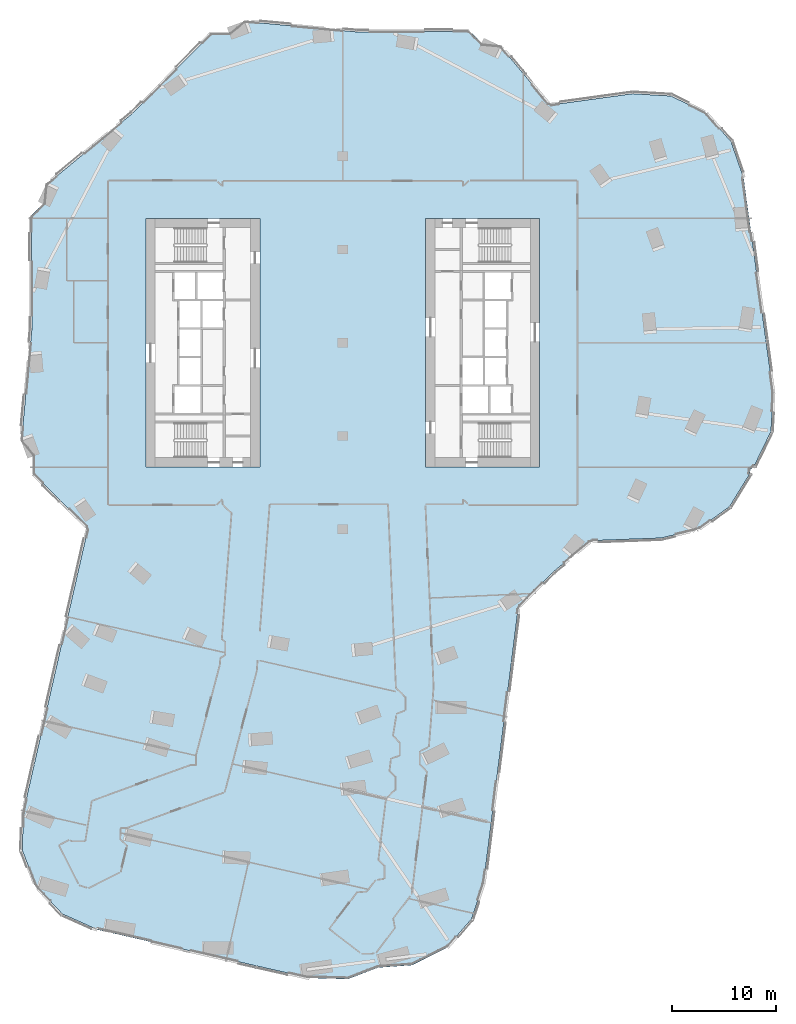
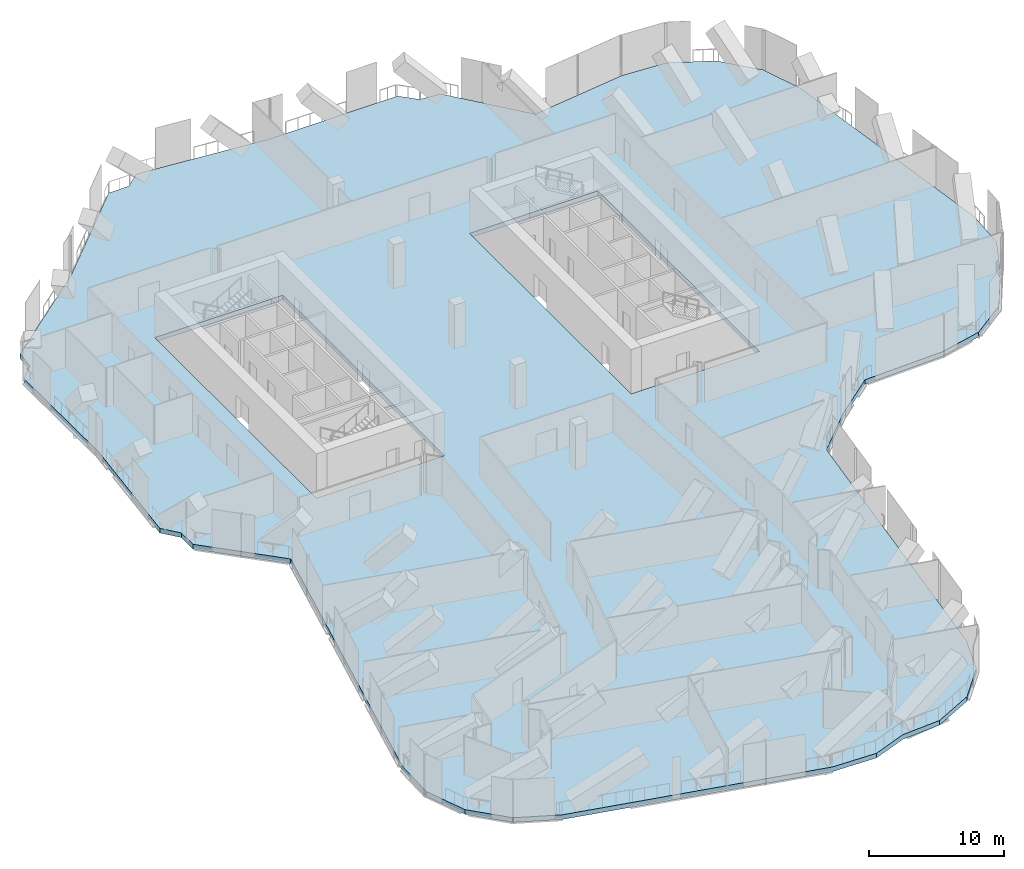
# One storey, part 17 of 29: 1 slab.
"""IFC4 building model written with IfcOpenShell, lengths in metres."""

from ifc_helpers import new_model, si_unit, direction, frame, origin, place, context, subcontext, project, spatial, polyline, outline, extrude, material, layer, layer_set, type_object, element, save


model = new_model("IFC4")

# Units and contexts
model_context = context("Model", 3, precision=1e-05, world=origin(), true_north=direction((0.0, 1.0)))
body_context = subcontext(model_context, "Body", "Model", "MODEL_VIEW")
ifc_project = project(units=[si_unit("LENGTHUNIT", "METRE"), si_unit("AREAUNIT", "SQUARE_METRE"), si_unit("VOLUMEUNIT", "CUBIC_METRE"), si_unit("PLANEANGLEUNIT", "RADIAN"), si_unit("MASSUNIT", "GRAM", prefix="KILO")], contexts=[model_context])

# Site, building, storey
site_placement = place(None, origin())
site = spatial("IfcSite", under=ifc_project, at=site_placement, CompositionType="ELEMENT")
building_placement = place(site_placement, origin())
building = spatial("IfcBuilding", under=site, at=building_placement, Name="Orlundy Tower", CompositionType="ELEMENT")
storey_placement = place(building_placement, frame((0.0, 0.0, 184.60009765625)))
storey = spatial("IfcBuildingStorey", under=building, at=storey_placement, Name="L48", CompositionType="ELEMENT", Elevation=184.60009765625)

# Slab
ifc_material = material(Name="Concrete C45/55", Category="concrete")
ifc_layer = layer(ifc_material, 0.419921875)
ifc_layer_set = layer_set([ifc_layer], Name="TRANSFER FLOOR SLAB 420 C45/55")
slab_type = type_object("IfcSlabType", Name="TRANSFER FLOOR SLAB 420 C45/55", PredefinedType="FLOOR", material=ifc_layer_set)
slab_placement = place(storey_placement, frame((0.0, 0.0, -0.420166015625)))
element("IfcSlab", 1, at=slab_placement, inside=storey, type_object=slab_type, Name="Floor slab L48", PredefinedType="FLOOR", context=body_context, shape_type="SweptSolid", body=[
    extrude(outline(polyline([(-29.927001953125, -12.60107421875), (-29.93701171875, -10.89599609375), (-31.02490234375, -9.583984375), (-30.008056640625, 1.30908203125), (-30.072021484375, 12.251953125), (-28.873046875, 13.465087890625), (-28.715087890625, 15.160888671875), (-20.294921875, 22.14306640625), (-12.60107421875, 29.927001953125), (-10.89599609375, 29.93701171875), (-9.583984375, 31.02490234375), (1.30908203125, 30.008056640625), (12.251953125, 30.072021484375), (13.465087890625, 28.873046875), (15.160888671875, 28.715087890625), (19.9541015625, 22.93408203125), (27.985107421875, 24.0380859375), (31.68505859375, 23.818115234375), (35.01904296875, 22.197021484375), (37.47900390625, 19.425048828125), (38.69091796875, 15.922119140625), (41.552978515625, -4.882080078125), (41.33203125, -8.58203125), (39.7119140625, -11.916015625), (39.35205078125, -12.236083984375), (39.283935546875, -12.658935546875), (37.342041015625, -15.81689453125), (34.340087890625, -17.990966796875), (30.735107421875, -18.85205078125), (23.955078125, -19.10791015625), (20.29296875, -22.14501953125), (16.947021484375, -25.530029296875), (13.60595703125, -52.10400390625), (12.43505859375, -55.62109375), (10.007080078125, -58.422119140625), (6.69189453125, -60.0810546875), (3.402099609375, -60.31591796875), (0.5048828125, -61.423095703125), (-3.199951171875, -61.321044921875), (-23.676025390625, -56.656982421875), (-27.06005859375, -55.14404296875), (-29.60693359375, -52.450927734375), (-30.930908203125, -48.989013671875), (-30.827880859375, -45.283935546875), (-24.5859375, -17.8798828125), (-29.927001953125, -12.60107421875)]), holes=[polyline([(-8.0, -12.0), (-8.0, 12.0), (-19.0, 12.0), (-19.0, -12.0), (-8.0, -12.0)]), polyline([(19.0, -12.0), (19.0, 12.0), (8.0, 12.0), (8.0, -12.0), (19.0, -12.0)])]), origin(), (0.0, 0.0, 1.0), 0.420166015625),
])

save(model, "model.ifc")
